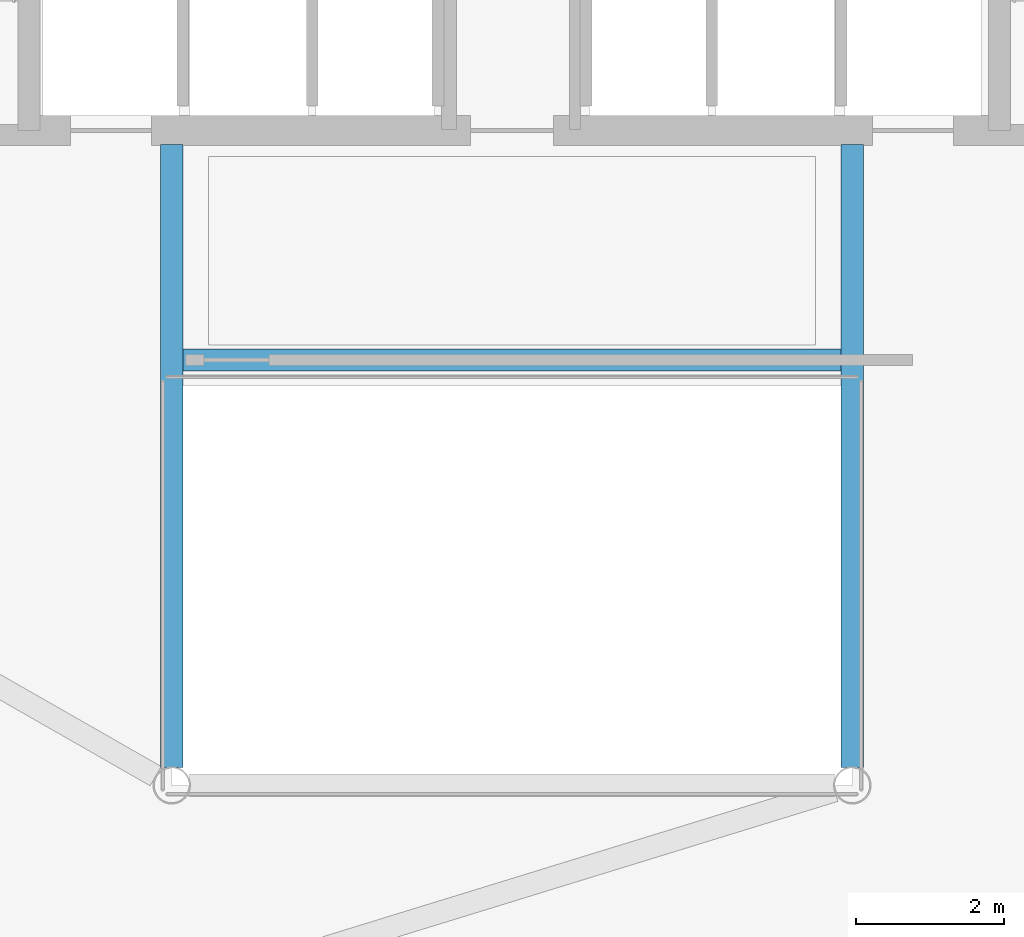
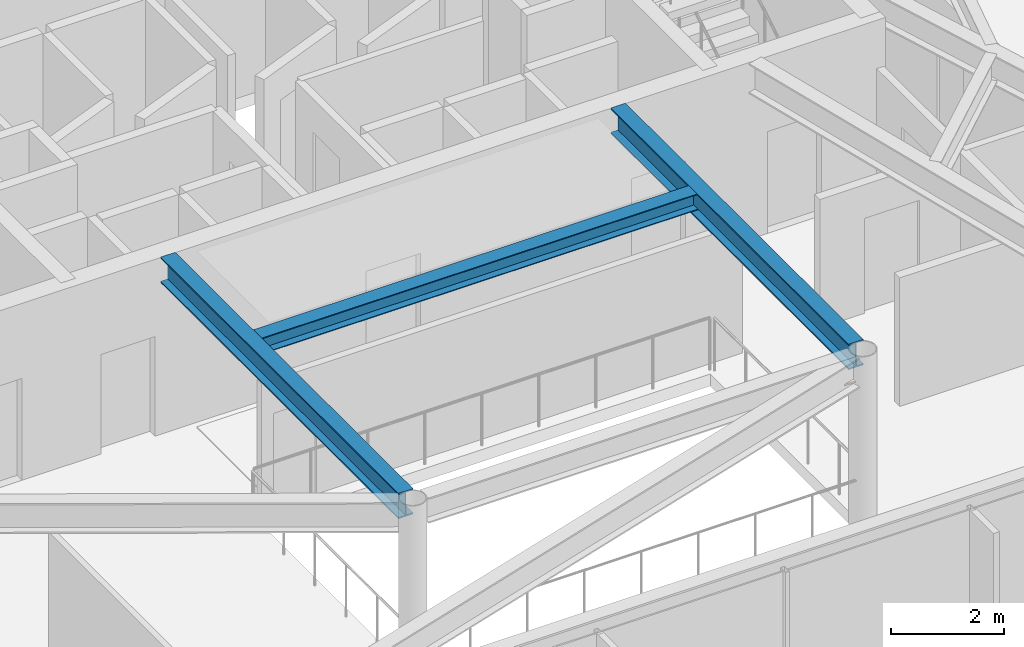
# One storey, part 10 of 26: 3 beams.
"""IFC4 building model written with IfcOpenShell, lengths in metres."""

from ifc_helpers import new_model, si_unit, direction, frame, origin, origin_2d, place, context, subcontext, project, spatial, i_section, extrude, material, material_profile, profile_set, type_object, element, save


model = new_model("IFC4")

# Units and contexts
model_context = context("Model", 3, precision=1e-05, world=origin(), true_north=direction((0.0, 1.0)))
body_context = subcontext(model_context, "Body", "Model", "MODEL_VIEW")
ifc_project = project(units=[si_unit("LENGTHUNIT", "METRE"), si_unit("AREAUNIT", "SQUARE_METRE"), si_unit("VOLUMEUNIT", "CUBIC_METRE"), si_unit("PLANEANGLEUNIT", "RADIAN"), si_unit("MASSUNIT", "GRAM", prefix="KILO")], contexts=[model_context])

# Site, building, storey
site_placement = place(None, origin())
site = spatial("IfcSite", under=ifc_project, at=site_placement, CompositionType="ELEMENT")
building_placement = place(site_placement, origin())
building = spatial("IfcBuilding", under=site, at=building_placement, Name="Zarrinselat Tower", CompositionType="ELEMENT")
storey_placement = place(building_placement, frame((0.0, 0.0, 35.699951171875)))
storey = spatial("IfcBuildingStorey", under=building, at=storey_placement, Name="L08", CompositionType="ELEMENT", Elevation=35.699951171875)

# Beams
ifc_material_1 = material(Name="Steel S355J2", Category="steel")
ifc_material_profile_1 = material_profile(ifc_material_1, i_section(OverallWidth=0.300048828125, OverallDepth=0.35009765625, WebThickness=0.010009765625, FlangeThickness=0.017578125, at=origin_2d()), Name="HEA 360")
ifc_profile_set_1 = profile_set([ifc_material_profile_1], Name="Steel S355J2")
beam_type_1 = type_object("IfcBeamType", Name="BM-HEA360", PredefinedType="LINTEL", material=ifc_profile_set_1)
beam_placement = place(storey_placement, frame((33.93994140625, 30.14990234375, 3.64501953125), z_axis=(1.0, 0.0, 0.0), x_axis=(0.0, 1.0, 0.0)))
element("IfcBeam", 1, at=beam_placement, inside=storey, type_object=beam_type_1, Name="L08 Lift Lobby Ceiling Beam", PredefinedType="LINTEL", context=body_context, shape_type="SweptSolid", body=[
    extrude(i_section(OverallWidth=0.300048828125, OverallDepth=0.35009765625, WebThickness=0.010009765625, FlangeThickness=0.017578125, at=origin_2d()), origin(), (0.0, 0.0, 1.0), 8.920166015625),
])
ifc_material_2 = material(Name="Steel S355J2", Category="steel")
ifc_material_profile_2 = material_profile(ifc_material_2, i_section(OverallWidth=0.300048828125, OverallDepth=0.550048828125, WebThickness=0.014892578125, FlangeThickness=0.029052734375, at=origin_2d()), Name="HEB 550")
ifc_profile_set_2 = profile_set([ifc_material_profile_2], Name="Steel S355J2")
beam_type_2 = type_object("IfcBeamType", Name="BM-HEB550", PredefinedType="BEAM", material=ifc_profile_set_2)
for number, where, z_axis, x_axis, name in (
    (2, (33.800048828125, 24.639892578125, 3.545166015625), (0.0, 1.0, 0.0), (-1.0, 0.0, 0.0), "L08 Atrium Edge Beam W"),
    (3, (43.0, 24.639892578125, 3.545166015625), (0.0, 1.0, 0.0), (-1.0, 0.0, 0.0), "L08 Atrium Edge Beam E"),
):
    element("IfcBeam", number, at=place(storey_placement, frame(where, z_axis=z_axis, x_axis=x_axis)), inside=storey, type_object=beam_type_2, Name=name, PredefinedType="BEAM", context=body_context, shape_type="SweptSolid", body=[
        extrude(i_section(OverallWidth=0.300048828125, OverallDepth=0.550048828125, WebThickness=0.014892578125, FlangeThickness=0.029052734375, at=origin_2d()), origin(), (0.0, 0.0, 1.0), 8.420166015625),
    ])

save(model, "model.ifc")
